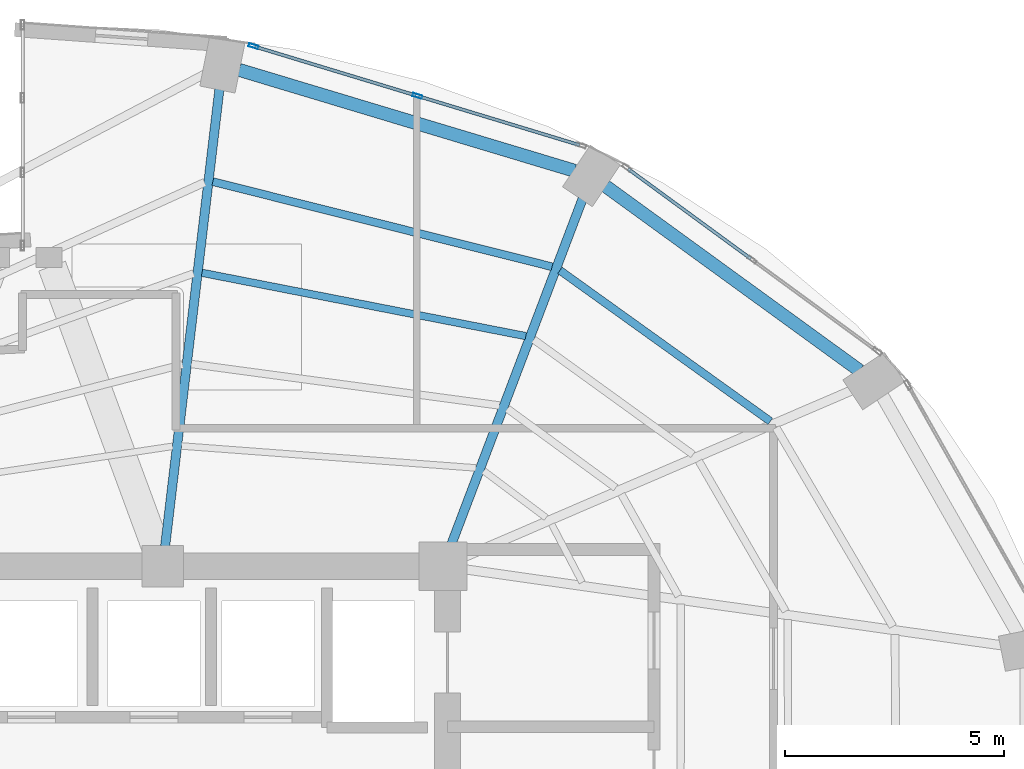
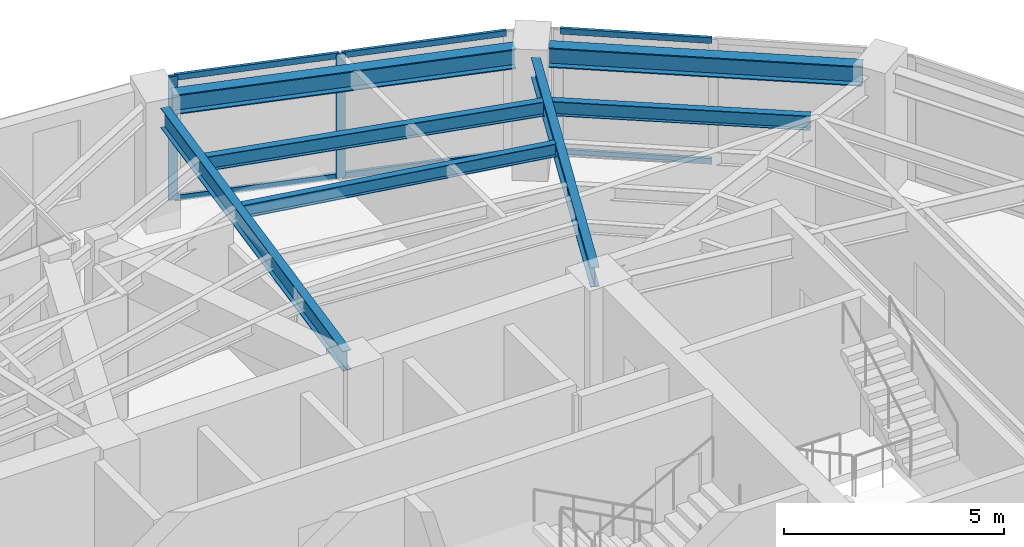
# One storey, part 13 of 20: 8 members, 7 beams, 2 elements without a shape of their own.
"""IFC4 building model written with IfcOpenShell, lengths in metres."""

from ifc_helpers import new_model, si_unit, direction, frame, origin, origin_2d, place, context, subcontext, project, spatial, hollow_rectangle, i_section, extrude, material, layer, layer_set, material_profile, profile_set, type_object, element, aggregate, save


model = new_model("IFC4")

# Units and contexts
model_context = context("Model", 3, precision=1e-05, world=origin(), true_north=direction((0.0, 1.0)))
body_context = subcontext(model_context, "Body", "Model", "MODEL_VIEW")
ifc_project = project(units=[si_unit("LENGTHUNIT", "METRE"), si_unit("AREAUNIT", "SQUARE_METRE"), si_unit("VOLUMEUNIT", "CUBIC_METRE"), si_unit("PLANEANGLEUNIT", "RADIAN"), si_unit("MASSUNIT", "GRAM", prefix="KILO")], contexts=[model_context])

# Site, building, storey
site_placement = place(None, origin())
site = spatial("IfcSite", under=ifc_project, at=site_placement, CompositionType="ELEMENT")
building_placement = place(site_placement, origin())
building = spatial("IfcBuilding", under=site, at=building_placement, Name="Lazwardi Medical Tower", CompositionType="ELEMENT")
storey_placement = place(building_placement, frame((0.0, 0.0, 152.8798828125)))
storey = spatial("IfcBuildingStorey", under=building, at=storey_placement, Name="L39", CompositionType="ELEMENT", Elevation=152.8798828125)

# Beams
ifc_material_1 = material(Name="Steel S355", Category="steel")
ifc_material_profile_1 = material_profile(ifc_material_1, i_section(OverallWidth=0.300048828125, OverallDepth=0.550048828125, WebThickness=0.014892578125, FlangeThickness=0.029052734375, at=origin_2d()), Name="HEB 550")
ifc_profile_set_1 = profile_set([ifc_material_profile_1], Name="Steel S355")
beam_type_1 = type_object("IfcBeamType", Name="BM-RB-Z3", PredefinedType="BEAM", material=ifc_profile_set_1)
beam_1_placement = place(storey_placement, frame((55.11181640625, 40.06591796875, 3.153076171875), z_axis=(-0.809127570774, 0.587633026824, 0.0), x_axis=(-0.587633026824, -0.809127570774, 0.0)))
element("IfcBeam", 1, at=beam_1_placement, inside=storey, type_object=beam_type_1, Name="Ring beam RB-04 B06 L39", PredefinedType="BEAM", context=body_context, shape_type="SweptSolid", body=[
    extrude(i_section(OverallWidth=0.300048828125, OverallDepth=0.550048828125, WebThickness=0.014892578125, FlangeThickness=0.029052734375, at=origin_2d()), origin(), (0.0, 0.0, 1.0), 7.170166015625),
])
beam_2_placement = place(storey_placement, frame((48.603515625, 44.62939453125, 3.153076171875), z_axis=(-0.957616873483, 0.288045002771, 0.0), x_axis=(-0.288045002771, -0.957616873483, 0.0)))
element("IfcBeam", 2, at=beam_2_placement, inside=storey, type_object=beam_type_1, Name="Ring beam RB-04 B07 L39", PredefinedType="BEAM", context=body_context, shape_type="SweptSolid", body=[
    extrude(i_section(OverallWidth=0.300048828125, OverallDepth=0.550048828125, WebThickness=0.014892578125, FlangeThickness=0.029052734375, at=origin_2d()), origin(), (0.0, 0.0, 1.0), 7.99951171875),
])
ifc_material_profile_2 = material_profile(ifc_material_1, i_section(OverallWidth=0.2099609375, OverallDepth=0.550048828125, WebThickness=0.010986328125, FlangeThickness=0.01708984375, at=origin_2d()), Name="IPE 550")
ifc_profile_set_2 = profile_set([ifc_material_profile_2], Name="Steel S355")
beam_type_2 = type_object("IfcBeamType", Name="BM-RG-W2", PredefinedType="BEAM", material=ifc_profile_set_2)
beam_3_placement = place(storey_placement, frame((48.78759765625, 43.99072265625, 3.153076171875), z_axis=(-0.355126771712, -0.934818151307, 0.0), x_axis=(0.934818151307, -0.355126771712, 0.0)))
element("IfcBeam", 3, at=beam_3_placement, inside=storey, type_object=beam_type_2, Name="Radial girder RG-03 R07 L39", PredefinedType="BEAM", context=body_context, shape_type="SweptSolid", body=[
    extrude(i_section(OverallWidth=0.2099609375, OverallDepth=0.550048828125, WebThickness=0.010986328125, FlangeThickness=0.01708984375, at=origin_2d()), origin(), (0.0, 0.0, 1.0), 8.44091796875),
])
beam_4_placement = place(storey_placement, frame((40.494140625, 46.49267578125, 3.153076171875), z_axis=(-0.117968004211, -0.993017396616, 0.0), x_axis=(0.993017396616, -0.117968004211, 0.0)))
element("IfcBeam", 4, at=beam_4_placement, inside=storey, type_object=beam_type_2, Name="Radial girder RG-03 R08 L39", PredefinedType="BEAM", context=body_context, shape_type="SweptSolid", body=[
    extrude(i_section(OverallWidth=0.2099609375, OverallDepth=0.550048828125, WebThickness=0.010986328125, FlangeThickness=0.01708984375, at=origin_2d()), origin(), (0.0, 0.0, 1.0), 10.50927734375),
])
ifc_material_profile_3 = material_profile(ifc_material_1, i_section(OverallWidth=0.179931640625, OverallDepth=0.39990234375, WebThickness=0.008544921875, FlangeThickness=0.013427734375, at=origin_2d()), Name="IPE 400")
ifc_profile_set_3 = profile_set([ifc_material_profile_3], Name="Steel S355")
beam_type_3 = type_object("IfcBeamType", Name="BM-SJ-01", PredefinedType="JOIST", material=ifc_profile_set_3)
beam_5_placement = place(storey_placement, frame((53.073974609375, 38.908203125, 3.22802734375), z_axis=(-0.812602017757, 0.582818977675, 0.0), x_axis=(-0.582818977675, -0.812602017757, 0.0)))
element("IfcBeam", 5, at=beam_5_placement, inside=storey, type_object=beam_type_3, Name="Secondary joist SJ-01 R1 B06 L39", PredefinedType="JOIST", context=body_context, shape_type="SweptSolid", body=[
    extrude(i_section(OverallWidth=0.179931640625, OverallDepth=0.39990234375, WebThickness=0.008544921875, FlangeThickness=0.013427734375, at=origin_2d()), origin(), (0.0, 0.0, 1.0), 5.91259765625),
])
beam_6_placement = place(storey_placement, frame((48.091064453125, 42.43701171875, 3.22802734375), z_axis=(-0.969933596942, 0.243369713652, 0.0), x_axis=(-0.243369713652, -0.969933596942, 0.0)))
element("IfcBeam", 6, at=beam_6_placement, inside=storey, type_object=beam_type_3, Name="Secondary joist SJ-01 R1 B07 L39", PredefinedType="JOIST", context=body_context, shape_type="SweptSolid", body=[
    extrude(i_section(OverallWidth=0.179931640625, OverallDepth=0.39990234375, WebThickness=0.008544921875, FlangeThickness=0.013427734375, at=origin_2d()), origin(), (0.0, 0.0, 1.0), 7.98828125),
])
ifc_material_profile_4 = material_profile(ifc_material_1, i_section(OverallWidth=0.169921875, OverallDepth=0.360107421875, WebThickness=0.008056640625, FlangeThickness=0.0126953125, at=origin_2d()), Name="IPE 360")
ifc_profile_set_4 = profile_set([ifc_material_profile_4], Name="Steel S355")
beam_type_4 = type_object("IfcBeamType", Name="BM-SJ-02", PredefinedType="JOIST", material=ifc_profile_set_4)
beam_7_placement = place(storey_placement, frame((47.490478515625, 40.853515625, 3.248046875), z_axis=(-0.98141534692, 0.191895588353, 0.0), x_axis=(-0.191895588353, -0.98141534692, 0.0)))
element("IfcBeam", 7, at=beam_7_placement, inside=storey, type_object=beam_type_4, Name="Secondary joist SJ-02 R2 B07 L39", PredefinedType="JOIST", context=body_context, shape_type="SweptSolid", body=[
    extrude(i_section(OverallWidth=0.169921875, OverallDepth=0.360107421875, WebThickness=0.008056640625, FlangeThickness=0.0126953125, at=origin_2d()), origin(), (0.0, 0.0, 1.0), 7.534423828125),
])

# Curtain wall, members
ifc_material_2 = material(Name="Anodised bronze aluminium and solar control glazing", Category="aluminium")
ifc_layer = layer(ifc_material_2, 0.195068359375)
ifc_layer_set = layer_set([ifc_layer], Name="Anodised bronze aluminium and solar control glazing")
curtain_wall_type = type_object("IfcCurtainWallType", Name="CW-SYS-03", PredefinedType="NOTDEFINED", material=ifc_layer_set)
curtain_wall_1_placement = place(storey_placement, origin())
curtain_wall_1 = element("IfcCurtainWall", 8, at=curtain_wall_1_placement, inside=storey, type_object=curtain_wall_type, Name="L39 Unitised bronze curtain wall CW-03", PredefinedType="NOTDEFINED")
ifc_material_3 = material(Name="Anodised bronze aluminium", Category="aluminium")
ifc_material_profile_5 = material_profile(ifc_material_3, hollow_rectangle(XDim=0.074951171875, YDim=0.219970703125, WallThickness=0.00390625, at=origin_2d()), Name="ALU-MULLION 220x75x4")
ifc_profile_set_5 = profile_set([ifc_material_profile_5], Name="Anodised bronze aluminium")
member_type_1 = type_object("IfcMemberType", Name="CW-MUL-01", PredefinedType="MULLION", material=ifc_profile_set_5)
member_1_placement = place(storey_placement, frame((45.01513671875, 46.338623046875, 0.0), z_axis=(0.0, 0.0, 1.0), x_axis=(-0.290280785441, -0.956941516292, 0.0)))
member_1 = element("IfcMember", 9, at=member_1_placement, type_object=member_type_1, Name="CW-03 mullion 2", PredefinedType="MULLION", context=body_context, shape_type="SweptSolid", body=[
    extrude(hollow_rectangle(XDim=0.074951171875, YDim=0.219970703125, WallThickness=0.00390625, at=origin_2d()), origin(), (0.0, 0.0, 1.0), 3.42822265625),
])
member_2_placement = place(storey_placement, frame((41.27197265625, 47.47412109375, 0.0), z_axis=(0.0, 0.0, 1.0), x_axis=(-0.290280785441, -0.956941516292, 0.0)))
member_2 = element("IfcMember", 10, at=member_2_placement, type_object=member_type_1, Name="CW-03 mullion 3", PredefinedType="MULLION", context=body_context, shape_type="SweptSolid", body=[
    extrude(hollow_rectangle(XDim=0.074951171875, YDim=0.219970703125, WallThickness=0.00390625, at=origin_2d()), origin(), (0.0, 0.0, 1.0), 3.42822265625),
])

curtain_wall_2_placement = place(storey_placement, origin())
curtain_wall_2 = element("IfcCurtainWall", 11, at=curtain_wall_2_placement, inside=storey, type_object=curtain_wall_type, Name="L39 Unitised bronze curtain wall CW-03", PredefinedType="NOTDEFINED")
ifc_material_profile_6 = material_profile(ifc_material_3, hollow_rectangle(XDim=0.074951171875, YDim=0.159912109375, WallThickness=0.00390625, at=origin_2d()), Name="ALU-TRANSOM 160x75x4")
ifc_profile_set_6 = profile_set([ifc_material_profile_6], Name="Anodised bronze aluminium")
member_type_2 = type_object("IfcMemberType", Name="CW-TRN-01", PredefinedType="USERDEFINED", material=ifc_profile_set_6)
member_3_placement = place(storey_placement, frame((52.62744140625, 42.62109375, 0.03759765625), z_axis=(-0.806807161185, 0.590814864962, 0.0), x_axis=(-0.590814864962, -0.806807161185, 0.0)))
member_3 = element("IfcMember", 12, at=member_3_placement, type_object=member_type_2, Name="CW-03 transom 2.1", ObjectType="TRANSOM", PredefinedType="USERDEFINED", context=body_context, shape_type="SweptSolid", body=[
    extrude(hollow_rectangle(XDim=0.074951171875, YDim=0.159912109375, WallThickness=0.00390625, at=origin_2d()), origin(), (0.0, 0.0, 1.0), 3.472412109375),
])
member_4_placement = place(storey_placement, frame((52.62744140625, 42.62109375, 3.390625), z_axis=(-0.806807161185, 0.590814864962, 0.0), x_axis=(-0.590814864962, -0.806807161185, 0.0)))
member_4 = element("IfcMember", 13, at=member_4_placement, type_object=member_type_2, Name="CW-03 transom 2.2", ObjectType="TRANSOM", PredefinedType="USERDEFINED", context=body_context, shape_type="SweptSolid", body=[
    extrude(hollow_rectangle(XDim=0.074951171875, YDim=0.159912109375, WallThickness=0.00390625, at=origin_2d()), origin(), (0.0, 0.0, 1.0), 3.472412109375),
])
aggregate(curtain_wall_2, [member_3, member_4])

# Member
member_5_placement = place(storey_placement, frame((48.72216796875, 45.214111328125, 0.03759765625), z_axis=(-0.956930154175, 0.290318239233, 0.0), x_axis=(-0.290318239233, -0.956930154175, 0.0)))
member_5 = element("IfcMember", 14, at=member_5_placement, type_object=member_type_2, Name="CW-03 transom 1.1", ObjectType="TRANSOM", PredefinedType="USERDEFINED", context=body_context, shape_type="SweptSolid", body=[
    extrude(hollow_rectangle(XDim=0.074951171875, YDim=0.159912109375, WallThickness=0.00390625, at=origin_2d()), origin(), (0.0, 0.0, 1.0), 3.83642578125),
])

member_6_placement = place(storey_placement, frame((48.72216796875, 45.214111328125, 3.390625), z_axis=(-0.956930154175, 0.290318239233, 0.0), x_axis=(-0.290318239233, -0.956930154175, 0.0)))
member_6 = element("IfcMember", 15, at=member_6_placement, type_object=member_type_2, Name="CW-03 transom 1.2", ObjectType="TRANSOM", PredefinedType="USERDEFINED", context=body_context, shape_type="SweptSolid", body=[
    extrude(hollow_rectangle(XDim=0.074951171875, YDim=0.159912109375, WallThickness=0.00390625, at=origin_2d()), origin(), (0.0, 0.0, 1.0), 3.83642578125),
])

member_7_placement = place(storey_placement, frame((44.979248046875, 46.349609375, 0.03759765625), z_axis=(-0.95695319357, 0.290242287264, 0.0), x_axis=(-0.290242287264, -0.95695319357, 0.0)))
member_7 = element("IfcMember", 16, at=member_7_placement, type_object=member_type_2, Name="CW-03 transom 2.1", ObjectType="TRANSOM", PredefinedType="USERDEFINED", context=body_context, shape_type="SweptSolid", body=[
    extrude(hollow_rectangle(XDim=0.074951171875, YDim=0.159912109375, WallThickness=0.00390625, at=origin_2d()), origin(), (0.0, 0.0, 1.0), 3.83642578125),
])

member_8_placement = place(storey_placement, frame((44.979248046875, 46.349609375, 3.390625), z_axis=(-0.95695319357, 0.290242287264, 0.0), x_axis=(-0.290242287264, -0.95695319357, 0.0)))
member_8 = element("IfcMember", 17, at=member_8_placement, type_object=member_type_2, Name="CW-03 transom 2.2", ObjectType="TRANSOM", PredefinedType="USERDEFINED", context=body_context, shape_type="SweptSolid", body=[
    extrude(hollow_rectangle(XDim=0.074951171875, YDim=0.159912109375, WallThickness=0.00390625, at=origin_2d()), origin(), (0.0, 0.0, 1.0), 3.83642578125),
])

aggregate(curtain_wall_1, [member_1, member_2, member_5, member_6, member_7, member_8])

save(model, "model.ifc")
